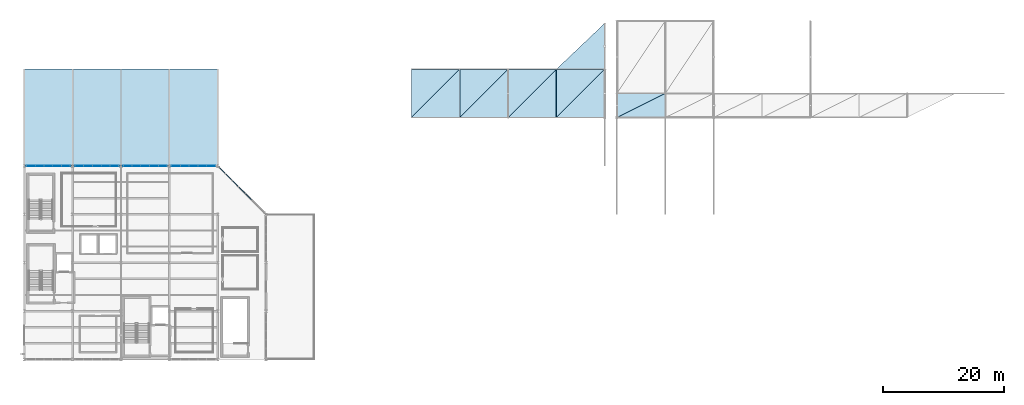
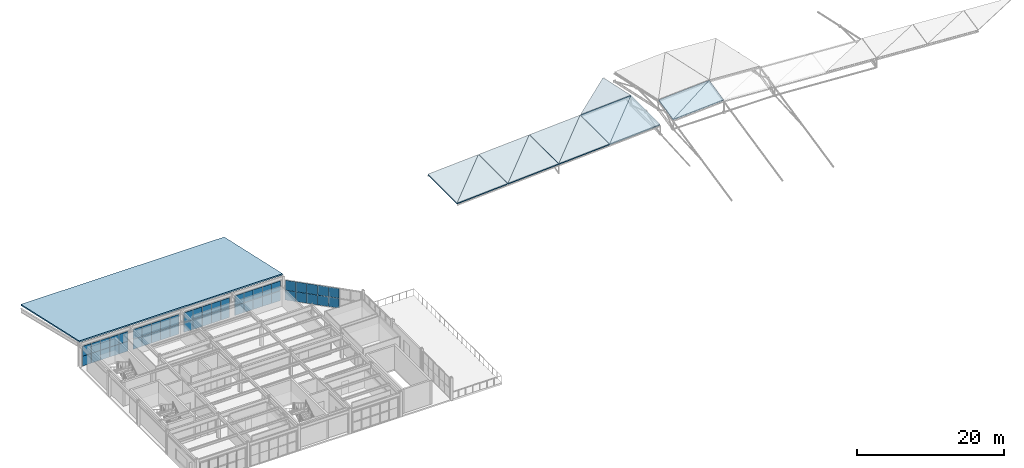
# One storey, part 16 of 27: 50 plates, 12 slabs, 5 elements without a shape of their own.
"""IFC4 building model written with IfcOpenShell, lengths in metres."""

from ifc_helpers import new_model, si_unit, direction, frame, origin, origin_2d, place, context, subcontext, project, spatial, polyline, rectangle, outline, extrude, material, layer, layer_set, type_object, element, aggregate, save


model = new_model("IFC4")

# Units and contexts
model_context = context("Model", 3, precision=1e-05, world=origin(), true_north=direction((0.0, 1.0)))
body_context = subcontext(model_context, "Body", "Model", "MODEL_VIEW")
ifc_project = project(units=[si_unit("LENGTHUNIT", "METRE"), si_unit("AREAUNIT", "SQUARE_METRE"), si_unit("VOLUMEUNIT", "CUBIC_METRE"), si_unit("PLANEANGLEUNIT", "RADIAN"), si_unit("MASSUNIT", "GRAM", prefix="KILO")], contexts=[model_context])

# Site, building, storey
site_placement = place(None, origin())
site = spatial("IfcSite", under=ifc_project, at=site_placement, CompositionType="ELEMENT")
building_placement = place(site_placement, origin())
building = spatial("IfcBuilding", under=site, at=building_placement, Name="Drelvath Fold Interchange", CompositionType="ELEMENT")
storey_placement = place(building_placement, frame((0.0, 0.0, 19.800048828125)))
storey = spatial("IfcBuildingStorey", under=building, at=storey_placement, Name="L04", CompositionType="ELEMENT", Elevation=19.800048828125)

# Curtain wall, plates
ifc_material_1 = material(Name="Anodized Aluminium 6063-T6", Category="aluminium")
curtain_wall_type_1 = type_object("IfcCurtainWallType", Name="CW-OPS-CHM", PredefinedType="USERDEFINED", material=ifc_material_1)
curtain_wall_1_placement = place(storey_placement, origin())
curtain_wall_1 = element("IfcCurtainWall", 1, at=curtain_wall_1_placement, inside=storey, type_object=curtain_wall_type_1, Name="Curtain wall CW-V5-L04-CHM", ObjectType="UNITISED CURTAIN WALL", PredefinedType="USERDEFINED")
ifc_material_2 = material(Name="Low-Iron Insulated Laminated Glass", Category="glass")
ifc_layer_1 = layer(ifc_material_2, 0.068115234375, Name="Low-Iron Insulated Laminated Glass")
ifc_layer_set_1 = layer_set([ifc_layer_1], Name="Low-Iron Insulated Laminated Glass")
plate_type_1 = type_object("IfcPlateType", Name="CP-OPS-A", PredefinedType="CURTAIN_PANEL", material=ifc_layer_set_1)
plate_1_placement = place(storey_placement, frame((41.0859375, 29.9140625, 0.04052734375), z_axis=(0.0, 0.0, 1.0), x_axis=(-0.707106781187, 0.707106781187, 0.0)))
plate_1 = element("IfcPlate", 2, at=plate_1_placement, type_object=plate_type_1, Name="CW-V5-L04-CHM glazed panel 2-0", PredefinedType="CURTAIN_PANEL", context=body_context, shape_type="SweptSolid", body=[
    extrude(rectangle(XDim=1.514892578125, YDim=0.068115234375, at=origin_2d()), origin(), (0.0, 0.0, 1.0), 1.625),
])
plate_2_placement = place(storey_placement, frame((41.0859375, 29.9140625, 1.6845703125), z_axis=(0.0, 0.0, 1.0), x_axis=(-0.707106781187, 0.707106781187, 0.0)))
plate_2 = element("IfcPlate", 3, at=plate_2_placement, type_object=plate_type_1, Name="CW-V5-L04-CHM glazed panel 2-1", PredefinedType="CURTAIN_PANEL", context=body_context, shape_type="SweptSolid", body=[
    extrude(rectangle(XDim=1.514892578125, YDim=0.068115234375, at=origin_2d()), origin(), (0.0, 0.0, 1.0), 1.625),
])
plate_3_placement = place(storey_placement, frame((40.0, 31.0, 0.04052734375), z_axis=(0.0, 0.0, 1.0), x_axis=(-0.707106781187, 0.707106781187, 0.0)))
plate_3 = element("IfcPlate", 4, at=plate_3_placement, type_object=plate_type_1, Name="CW-V5-L04-CHM glazed panel 3-0", PredefinedType="CURTAIN_PANEL", context=body_context, shape_type="SweptSolid", body=[
    extrude(rectangle(XDim=1.514892578125, YDim=0.068115234375, at=origin_2d()), origin(), (0.0, 0.0, 1.0), 1.625),
])
plate_4_placement = place(storey_placement, frame((40.0, 31.0, 1.6845703125), z_axis=(0.0, 0.0, 1.0), x_axis=(-0.707106781187, 0.707106781187, 0.0)))
plate_4 = element("IfcPlate", 5, at=plate_4_placement, type_object=plate_type_1, Name="CW-V5-L04-CHM glazed panel 3-1", PredefinedType="CURTAIN_PANEL", context=body_context, shape_type="SweptSolid", body=[
    extrude(rectangle(XDim=1.514892578125, YDim=0.068115234375, at=origin_2d()), origin(), (0.0, 0.0, 1.0), 1.625),
])
plate_5_placement = place(storey_placement, frame((38.9140625, 32.0859375, 0.04052734375), z_axis=(0.0, 0.0, 1.0), x_axis=(-0.707106781187, 0.707106781187, 0.0)))
plate_5 = element("IfcPlate", 6, at=plate_5_placement, type_object=plate_type_1, Name="CW-V5-L04-CHM glazed panel 4-0", PredefinedType="CURTAIN_PANEL", context=body_context, shape_type="SweptSolid", body=[
    extrude(rectangle(XDim=1.514892578125, YDim=0.068115234375, at=origin_2d()), origin(), (0.0, 0.0, 1.0), 1.625),
])
plate_6_placement = place(storey_placement, frame((38.9140625, 32.0859375, 1.6845703125), z_axis=(0.0, 0.0, 1.0), x_axis=(-0.707106781187, 0.707106781187, 0.0)))
plate_6 = element("IfcPlate", 7, at=plate_6_placement, type_object=plate_type_1, Name="CW-V5-L04-CHM glazed panel 4-1", PredefinedType="CURTAIN_PANEL", context=body_context, shape_type="SweptSolid", body=[
    extrude(rectangle(XDim=1.514892578125, YDim=0.068115234375, at=origin_2d()), origin(), (0.0, 0.0, 1.0), 1.625),
])
plate_7_placement = place(storey_placement, frame((37.8291015625, 33.1708984375, 0.04052734375), z_axis=(0.0, 0.0, 1.0), x_axis=(-0.707106781187, 0.707106781187, 0.0)))
plate_7 = element("IfcPlate", 8, at=plate_7_placement, type_object=plate_type_1, Name="CW-V5-L04-CHM glazed panel 5-0", PredefinedType="CURTAIN_PANEL", context=body_context, shape_type="SweptSolid", body=[
    extrude(rectangle(XDim=1.514892578125, YDim=0.068115234375, at=origin_2d()), origin(), (0.0, 0.0, 1.0), 1.625),
])
plate_8_placement = place(storey_placement, frame((37.8291015625, 33.1708984375, 1.6845703125), z_axis=(0.0, 0.0, 1.0), x_axis=(-0.707106781187, 0.707106781187, 0.0)))
plate_8 = element("IfcPlate", 9, at=plate_8_placement, type_object=plate_type_1, Name="CW-V5-L04-CHM glazed panel 5-1", PredefinedType="CURTAIN_PANEL", context=body_context, shape_type="SweptSolid", body=[
    extrude(rectangle(XDim=1.514892578125, YDim=0.068115234375, at=origin_2d()), origin(), (0.0, 0.0, 1.0), 1.625),
])
plate_9_placement = place(storey_placement, frame((36.757080078125, 34.242919921875, 0.04052734375), z_axis=(0.0, 0.0, 1.0), x_axis=(-0.707106781187, 0.707106781187, 0.0)))
plate_9 = element("IfcPlate", 10, at=plate_9_placement, type_object=plate_type_1, Name="CW-V5-L04-CHM glazed panel 6-0", PredefinedType="CURTAIN_PANEL", context=body_context, shape_type="SweptSolid", body=[
    extrude(rectangle(XDim=1.47509765625, YDim=0.068115234375, at=origin_2d()), origin(), (0.0, 0.0, 1.0), 1.625),
])
plate_10_placement = place(storey_placement, frame((36.757080078125, 34.242919921875, 1.6845703125), z_axis=(0.0, 0.0, 1.0), x_axis=(-0.707106781187, 0.707106781187, 0.0)))
plate_10 = element("IfcPlate", 11, at=plate_10_placement, type_object=plate_type_1, Name="CW-V5-L04-CHM glazed panel 6-1", PredefinedType="CURTAIN_PANEL", context=body_context, shape_type="SweptSolid", body=[
    extrude(rectangle(XDim=1.47509765625, YDim=0.068115234375, at=origin_2d()), origin(), (0.0, 0.0, 1.0), 1.625),
])
aggregate(curtain_wall_1, [plate_1, plate_2, plate_3, plate_4, plate_5, plate_6, plate_7, plate_8, plate_9, plate_10])

curtain_wall_type_2 = type_object("IfcCurtainWallType", Name="CW-OPS-UPP", PredefinedType="USERDEFINED", material=ifc_material_1)
curtain_wall_2_placement = place(storey_placement, origin())
curtain_wall_2 = element("IfcCurtainWall", 12, at=curtain_wall_2_placement, inside=storey, type_object=curtain_wall_type_2, Name="Curtain wall CW-V5-L04-N4", ObjectType="UNITISED CURTAIN WALL", PredefinedType="USERDEFINED")
ifc_layer_2 = layer(ifc_material_2, 0.114990234375, Name="Low-Iron Insulated Laminated Glass")
ifc_layer_set_2 = layer_set([ifc_layer_2], Name="Low-Iron Insulated Laminated Glass")
plate_type_2 = type_object("IfcPlateType", Name="CP-OPS-S", PredefinedType="CURTAIN_PANEL", material=ifc_layer_set_2)
plate_11_placement = place(storey_placement, frame((5.10791015625, 35.0, 0.04052734375), z_axis=(0.0, 0.0, 1.0), x_axis=(1.0, 0.0, 0.0)))
plate_11 = element("IfcPlate", 13, at=plate_11_placement, type_object=plate_type_2, Name="CW-V5-L04-N4 glazed panel 0-0", PredefinedType="CURTAIN_PANEL", context=body_context, shape_type="SweptSolid", body=[
    extrude(rectangle(XDim=1.39599609375, YDim=0.114990234375, at=origin_2d()), origin(), (0.0, 0.0, 1.0), 1.625),
])
plate_12_placement = place(storey_placement, frame((5.10791015625, 35.0, 1.6845703125), z_axis=(0.0, 0.0, 1.0), x_axis=(1.0, 0.0, 0.0)))
plate_12 = element("IfcPlate", 14, at=plate_12_placement, type_object=plate_type_2, Name="CW-V5-L04-N4 glazed panel 0-1", PredefinedType="CURTAIN_PANEL", context=body_context, shape_type="SweptSolid", body=[
    extrude(rectangle(XDim=1.39599609375, YDim=0.114990234375, at=origin_2d()), origin(), (0.0, 0.0, 1.0), 1.625),
])
plate_13_placement = place(storey_placement, frame((6.5439453125, 35.0, 0.04052734375), z_axis=(0.0, 0.0, 1.0), x_axis=(1.0, 0.0, 0.0)))
plate_13 = element("IfcPlate", 15, at=plate_13_placement, type_object=plate_type_2, Name="CW-V5-L04-N4 glazed panel 1-0", PredefinedType="CURTAIN_PANEL", context=body_context, shape_type="SweptSolid", body=[
    extrude(rectangle(XDim=1.43603515625, YDim=0.114990234375, at=origin_2d()), origin(), (0.0, 0.0, 1.0), 1.625),
])
plate_14_placement = place(storey_placement, frame((6.5439453125, 35.0, 1.6845703125), z_axis=(0.0, 0.0, 1.0), x_axis=(1.0, 0.0, 0.0)))
plate_14 = element("IfcPlate", 16, at=plate_14_placement, type_object=plate_type_2, Name="CW-V5-L04-N4 glazed panel 1-1", PredefinedType="CURTAIN_PANEL", context=body_context, shape_type="SweptSolid", body=[
    extrude(rectangle(XDim=1.43603515625, YDim=0.114990234375, at=origin_2d()), origin(), (0.0, 0.0, 1.0), 1.625),
])
plate_15_placement = place(storey_placement, frame((8.0, 35.0, 0.04052734375), z_axis=(0.0, 0.0, 1.0), x_axis=(1.0, 0.0, 0.0)))
plate_15 = element("IfcPlate", 17, at=plate_15_placement, type_object=plate_type_2, Name="CW-V5-L04-N4 glazed panel 2-0", PredefinedType="CURTAIN_PANEL", context=body_context, shape_type="SweptSolid", body=[
    extrude(rectangle(XDim=1.43603515625, YDim=0.114990234375, at=origin_2d()), origin(), (0.0, 0.0, 1.0), 1.625),
])
plate_16_placement = place(storey_placement, frame((8.0, 35.0, 1.6845703125), z_axis=(0.0, 0.0, 1.0), x_axis=(1.0, 0.0, 0.0)))
plate_16 = element("IfcPlate", 18, at=plate_16_placement, type_object=plate_type_2, Name="CW-V5-L04-N4 glazed panel 2-1", PredefinedType="CURTAIN_PANEL", context=body_context, shape_type="SweptSolid", body=[
    extrude(rectangle(XDim=1.43603515625, YDim=0.114990234375, at=origin_2d()), origin(), (0.0, 0.0, 1.0), 1.625),
])
plate_17_placement = place(storey_placement, frame((9.4560546875, 35.0, 0.04052734375), z_axis=(0.0, 0.0, 1.0), x_axis=(1.0, 0.0, 0.0)))
plate_17 = element("IfcPlate", 19, at=plate_17_placement, type_object=plate_type_2, Name="CW-V5-L04-N4 glazed panel 3-0", PredefinedType="CURTAIN_PANEL", context=body_context, shape_type="SweptSolid", body=[
    extrude(rectangle(XDim=1.43603515625, YDim=0.114990234375, at=origin_2d()), origin(), (0.0, 0.0, 1.0), 1.625),
])
plate_18_placement = place(storey_placement, frame((9.4560546875, 35.0, 1.6845703125), z_axis=(0.0, 0.0, 1.0), x_axis=(1.0, 0.0, 0.0)))
plate_18 = element("IfcPlate", 20, at=plate_18_placement, type_object=plate_type_2, Name="CW-V5-L04-N4 glazed panel 3-1", PredefinedType="CURTAIN_PANEL", context=body_context, shape_type="SweptSolid", body=[
    extrude(rectangle(XDim=1.43603515625, YDim=0.114990234375, at=origin_2d()), origin(), (0.0, 0.0, 1.0), 1.625),
])
plate_19_placement = place(storey_placement, frame((10.89208984375, 35.0, 0.04052734375), z_axis=(0.0, 0.0, 1.0), x_axis=(1.0, 0.0, 0.0)))
plate_19 = element("IfcPlate", 21, at=plate_19_placement, type_object=plate_type_2, Name="CW-V5-L04-N4 glazed panel 4-0", PredefinedType="CURTAIN_PANEL", context=body_context, shape_type="SweptSolid", body=[
    extrude(rectangle(XDim=1.39599609375, YDim=0.114990234375, at=origin_2d()), origin(), (0.0, 0.0, 1.0), 1.625),
])
plate_20_placement = place(storey_placement, frame((10.89208984375, 35.0, 1.6845703125), z_axis=(0.0, 0.0, 1.0), x_axis=(1.0, 0.0, 0.0)))
plate_20 = element("IfcPlate", 22, at=plate_20_placement, type_object=plate_type_2, Name="CW-V5-L04-N4 glazed panel 4-1", PredefinedType="CURTAIN_PANEL", context=body_context, shape_type="SweptSolid", body=[
    extrude(rectangle(XDim=1.39599609375, YDim=0.114990234375, at=origin_2d()), origin(), (0.0, 0.0, 1.0), 1.625),
])
aggregate(curtain_wall_2, [plate_11, plate_12, plate_13, plate_14, plate_15, plate_16, plate_17, plate_18, plate_19, plate_20])

curtain_wall_3_placement = place(storey_placement, origin())
curtain_wall_3 = element("IfcCurtainWall", 23, at=curtain_wall_3_placement, inside=storey, type_object=curtain_wall_type_2, Name="Curtain wall CW-V5-L04-N12", ObjectType="UNITISED CURTAIN WALL", PredefinedType="USERDEFINED")
plate_21_placement = place(storey_placement, frame((13.10791015625, 35.0, 0.04052734375), z_axis=(0.0, 0.0, 1.0), x_axis=(1.0, 0.0, 0.0)))
plate_21 = element("IfcPlate", 24, at=plate_21_placement, type_object=plate_type_2, Name="CW-V5-L04-N12 glazed panel 0-0", PredefinedType="CURTAIN_PANEL", context=body_context, shape_type="SweptSolid", body=[
    extrude(rectangle(XDim=1.39599609375, YDim=0.114990234375, at=origin_2d()), origin(), (0.0, 0.0, 1.0), 1.625),
])
plate_22_placement = place(storey_placement, frame((13.10791015625, 35.0, 1.6845703125), z_axis=(0.0, 0.0, 1.0), x_axis=(1.0, 0.0, 0.0)))
plate_22 = element("IfcPlate", 25, at=plate_22_placement, type_object=plate_type_2, Name="CW-V5-L04-N12 glazed panel 0-1", PredefinedType="CURTAIN_PANEL", context=body_context, shape_type="SweptSolid", body=[
    extrude(rectangle(XDim=1.39599609375, YDim=0.114990234375, at=origin_2d()), origin(), (0.0, 0.0, 1.0), 1.625),
])
plate_23_placement = place(storey_placement, frame((14.5439453125, 35.0, 0.04052734375), z_axis=(0.0, 0.0, 1.0), x_axis=(1.0, 0.0, 0.0)))
plate_23 = element("IfcPlate", 26, at=plate_23_placement, type_object=plate_type_2, Name="CW-V5-L04-N12 glazed panel 1-0", PredefinedType="CURTAIN_PANEL", context=body_context, shape_type="SweptSolid", body=[
    extrude(rectangle(XDim=1.43603515625, YDim=0.114990234375, at=origin_2d()), origin(), (0.0, 0.0, 1.0), 1.625),
])
plate_24_placement = place(storey_placement, frame((14.5439453125, 35.0, 1.6845703125), z_axis=(0.0, 0.0, 1.0), x_axis=(1.0, 0.0, 0.0)))
plate_24 = element("IfcPlate", 27, at=plate_24_placement, type_object=plate_type_2, Name="CW-V5-L04-N12 glazed panel 1-1", PredefinedType="CURTAIN_PANEL", context=body_context, shape_type="SweptSolid", body=[
    extrude(rectangle(XDim=1.43603515625, YDim=0.114990234375, at=origin_2d()), origin(), (0.0, 0.0, 1.0), 1.625),
])
plate_25_placement = place(storey_placement, frame((16.0, 35.0, 0.04052734375), z_axis=(0.0, 0.0, 1.0), x_axis=(1.0, 0.0, 0.0)))
plate_25 = element("IfcPlate", 28, at=plate_25_placement, type_object=plate_type_2, Name="CW-V5-L04-N12 glazed panel 2-0", PredefinedType="CURTAIN_PANEL", context=body_context, shape_type="SweptSolid", body=[
    extrude(rectangle(XDim=1.43603515625, YDim=0.114990234375, at=origin_2d()), origin(), (0.0, 0.0, 1.0), 1.625),
])
plate_26_placement = place(storey_placement, frame((16.0, 35.0, 1.6845703125), z_axis=(0.0, 0.0, 1.0), x_axis=(1.0, 0.0, 0.0)))
plate_26 = element("IfcPlate", 29, at=plate_26_placement, type_object=plate_type_2, Name="CW-V5-L04-N12 glazed panel 2-1", PredefinedType="CURTAIN_PANEL", context=body_context, shape_type="SweptSolid", body=[
    extrude(rectangle(XDim=1.43603515625, YDim=0.114990234375, at=origin_2d()), origin(), (0.0, 0.0, 1.0), 1.625),
])
plate_27_placement = place(storey_placement, frame((17.4560546875, 35.0, 0.04052734375), z_axis=(0.0, 0.0, 1.0), x_axis=(1.0, 0.0, 0.0)))
plate_27 = element("IfcPlate", 30, at=plate_27_placement, type_object=plate_type_2, Name="CW-V5-L04-N12 glazed panel 3-0", PredefinedType="CURTAIN_PANEL", context=body_context, shape_type="SweptSolid", body=[
    extrude(rectangle(XDim=1.43603515625, YDim=0.114990234375, at=origin_2d()), origin(), (0.0, 0.0, 1.0), 1.625),
])
plate_28_placement = place(storey_placement, frame((17.4560546875, 35.0, 1.6845703125), z_axis=(0.0, 0.0, 1.0), x_axis=(1.0, 0.0, 0.0)))
plate_28 = element("IfcPlate", 31, at=plate_28_placement, type_object=plate_type_2, Name="CW-V5-L04-N12 glazed panel 3-1", PredefinedType="CURTAIN_PANEL", context=body_context, shape_type="SweptSolid", body=[
    extrude(rectangle(XDim=1.43603515625, YDim=0.114990234375, at=origin_2d()), origin(), (0.0, 0.0, 1.0), 1.625),
])
plate_29_placement = place(storey_placement, frame((18.89208984375, 35.0, 0.04052734375), z_axis=(0.0, 0.0, 1.0), x_axis=(1.0, 0.0, 0.0)))
plate_29 = element("IfcPlate", 32, at=plate_29_placement, type_object=plate_type_2, Name="CW-V5-L04-N12 glazed panel 4-0", PredefinedType="CURTAIN_PANEL", context=body_context, shape_type="SweptSolid", body=[
    extrude(rectangle(XDim=1.39599609375, YDim=0.114990234375, at=origin_2d()), origin(), (0.0, 0.0, 1.0), 1.625),
])
plate_30_placement = place(storey_placement, frame((18.89208984375, 35.0, 1.6845703125), z_axis=(0.0, 0.0, 1.0), x_axis=(1.0, 0.0, 0.0)))
plate_30 = element("IfcPlate", 33, at=plate_30_placement, type_object=plate_type_2, Name="CW-V5-L04-N12 glazed panel 4-1", PredefinedType="CURTAIN_PANEL", context=body_context, shape_type="SweptSolid", body=[
    extrude(rectangle(XDim=1.39599609375, YDim=0.114990234375, at=origin_2d()), origin(), (0.0, 0.0, 1.0), 1.625),
])
aggregate(curtain_wall_3, [plate_21, plate_22, plate_23, plate_24, plate_25, plate_26, plate_27, plate_28, plate_29, plate_30])

curtain_wall_4_placement = place(storey_placement, origin())
curtain_wall_4 = element("IfcCurtainWall", 34, at=curtain_wall_4_placement, inside=storey, type_object=curtain_wall_type_2, Name="Curtain wall CW-V5-L04-N20", ObjectType="UNITISED CURTAIN WALL", PredefinedType="USERDEFINED")
plate_31_placement = place(storey_placement, frame((21.10791015625, 35.0, 0.04052734375), z_axis=(0.0, 0.0, 1.0), x_axis=(1.0, 0.0, 0.0)))
plate_31 = element("IfcPlate", 35, at=plate_31_placement, type_object=plate_type_2, Name="CW-V5-L04-N20 glazed panel 0-0", PredefinedType="CURTAIN_PANEL", context=body_context, shape_type="SweptSolid", body=[
    extrude(rectangle(XDim=1.39599609375, YDim=0.114990234375, at=origin_2d()), origin(), (0.0, 0.0, 1.0), 1.625),
])
plate_32_placement = place(storey_placement, frame((21.10791015625, 35.0, 1.6845703125), z_axis=(0.0, 0.0, 1.0), x_axis=(1.0, 0.0, 0.0)))
plate_32 = element("IfcPlate", 36, at=plate_32_placement, type_object=plate_type_2, Name="CW-V5-L04-N20 glazed panel 0-1", PredefinedType="CURTAIN_PANEL", context=body_context, shape_type="SweptSolid", body=[
    extrude(rectangle(XDim=1.39599609375, YDim=0.114990234375, at=origin_2d()), origin(), (0.0, 0.0, 1.0), 1.625),
])
plate_33_placement = place(storey_placement, frame((22.5439453125, 35.0, 0.04052734375), z_axis=(0.0, 0.0, 1.0), x_axis=(1.0, 0.0, 0.0)))
plate_33 = element("IfcPlate", 37, at=plate_33_placement, type_object=plate_type_2, Name="CW-V5-L04-N20 glazed panel 1-0", PredefinedType="CURTAIN_PANEL", context=body_context, shape_type="SweptSolid", body=[
    extrude(rectangle(XDim=1.43603515625, YDim=0.114990234375, at=origin_2d()), origin(), (0.0, 0.0, 1.0), 1.625),
])
plate_34_placement = place(storey_placement, frame((22.5439453125, 35.0, 1.6845703125), z_axis=(0.0, 0.0, 1.0), x_axis=(1.0, 0.0, 0.0)))
plate_34 = element("IfcPlate", 38, at=plate_34_placement, type_object=plate_type_2, Name="CW-V5-L04-N20 glazed panel 1-1", PredefinedType="CURTAIN_PANEL", context=body_context, shape_type="SweptSolid", body=[
    extrude(rectangle(XDim=1.43603515625, YDim=0.114990234375, at=origin_2d()), origin(), (0.0, 0.0, 1.0), 1.625),
])
plate_35_placement = place(storey_placement, frame((24.0, 35.0, 0.04052734375), z_axis=(0.0, 0.0, 1.0), x_axis=(1.0, 0.0, 0.0)))
plate_35 = element("IfcPlate", 39, at=plate_35_placement, type_object=plate_type_2, Name="CW-V5-L04-N20 glazed panel 2-0", PredefinedType="CURTAIN_PANEL", context=body_context, shape_type="SweptSolid", body=[
    extrude(rectangle(XDim=1.43603515625, YDim=0.114990234375, at=origin_2d()), origin(), (0.0, 0.0, 1.0), 1.625),
])
plate_36_placement = place(storey_placement, frame((24.0, 35.0, 1.6845703125), z_axis=(0.0, 0.0, 1.0), x_axis=(1.0, 0.0, 0.0)))
plate_36 = element("IfcPlate", 40, at=plate_36_placement, type_object=plate_type_2, Name="CW-V5-L04-N20 glazed panel 2-1", PredefinedType="CURTAIN_PANEL", context=body_context, shape_type="SweptSolid", body=[
    extrude(rectangle(XDim=1.43603515625, YDim=0.114990234375, at=origin_2d()), origin(), (0.0, 0.0, 1.0), 1.625),
])
plate_37_placement = place(storey_placement, frame((25.4560546875, 35.0, 0.04052734375), z_axis=(0.0, 0.0, 1.0), x_axis=(1.0, 0.0, 0.0)))
plate_37 = element("IfcPlate", 41, at=plate_37_placement, type_object=plate_type_2, Name="CW-V5-L04-N20 glazed panel 3-0", PredefinedType="CURTAIN_PANEL", context=body_context, shape_type="SweptSolid", body=[
    extrude(rectangle(XDim=1.43603515625, YDim=0.114990234375, at=origin_2d()), origin(), (0.0, 0.0, 1.0), 1.625),
])
plate_38_placement = place(storey_placement, frame((25.4560546875, 35.0, 1.6845703125), z_axis=(0.0, 0.0, 1.0), x_axis=(1.0, 0.0, 0.0)))
plate_38 = element("IfcPlate", 42, at=plate_38_placement, type_object=plate_type_2, Name="CW-V5-L04-N20 glazed panel 3-1", PredefinedType="CURTAIN_PANEL", context=body_context, shape_type="SweptSolid", body=[
    extrude(rectangle(XDim=1.43603515625, YDim=0.114990234375, at=origin_2d()), origin(), (0.0, 0.0, 1.0), 1.625),
])
plate_39_placement = place(storey_placement, frame((26.89208984375, 35.0, 0.04052734375), z_axis=(0.0, 0.0, 1.0), x_axis=(1.0, 0.0, 0.0)))
plate_39 = element("IfcPlate", 43, at=plate_39_placement, type_object=plate_type_2, Name="CW-V5-L04-N20 glazed panel 4-0", PredefinedType="CURTAIN_PANEL", context=body_context, shape_type="SweptSolid", body=[
    extrude(rectangle(XDim=1.39599609375, YDim=0.114990234375, at=origin_2d()), origin(), (0.0, 0.0, 1.0), 1.625),
])
plate_40_placement = place(storey_placement, frame((26.89208984375, 35.0, 1.6845703125), z_axis=(0.0, 0.0, 1.0), x_axis=(1.0, 0.0, 0.0)))
plate_40 = element("IfcPlate", 44, at=plate_40_placement, type_object=plate_type_2, Name="CW-V5-L04-N20 glazed panel 4-1", PredefinedType="CURTAIN_PANEL", context=body_context, shape_type="SweptSolid", body=[
    extrude(rectangle(XDim=1.39599609375, YDim=0.114990234375, at=origin_2d()), origin(), (0.0, 0.0, 1.0), 1.625),
])
aggregate(curtain_wall_4, [plate_31, plate_32, plate_33, plate_34, plate_35, plate_36, plate_37, plate_38, plate_39, plate_40])

curtain_wall_5_placement = place(storey_placement, origin())
curtain_wall_5 = element("IfcCurtainWall", 45, at=curtain_wall_5_placement, inside=storey, type_object=curtain_wall_type_2, Name="Curtain wall CW-V5-L04-N28", ObjectType="UNITISED CURTAIN WALL", PredefinedType="USERDEFINED")
plate_41_placement = place(storey_placement, frame((29.10791015625, 35.0, 0.04052734375), z_axis=(0.0, 0.0, 1.0), x_axis=(1.0, 0.0, 0.0)))
plate_41 = element("IfcPlate", 46, at=plate_41_placement, type_object=plate_type_2, Name="CW-V5-L04-N28 glazed panel 0-0", PredefinedType="CURTAIN_PANEL", context=body_context, shape_type="SweptSolid", body=[
    extrude(rectangle(XDim=1.39599609375, YDim=0.114990234375, at=origin_2d()), origin(), (0.0, 0.0, 1.0), 1.625),
])
plate_42_placement = place(storey_placement, frame((29.10791015625, 35.0, 1.6845703125), z_axis=(0.0, 0.0, 1.0), x_axis=(1.0, 0.0, 0.0)))
plate_42 = element("IfcPlate", 47, at=plate_42_placement, type_object=plate_type_2, Name="CW-V5-L04-N28 glazed panel 0-1", PredefinedType="CURTAIN_PANEL", context=body_context, shape_type="SweptSolid", body=[
    extrude(rectangle(XDim=1.39599609375, YDim=0.114990234375, at=origin_2d()), origin(), (0.0, 0.0, 1.0), 1.625),
])
plate_43_placement = place(storey_placement, frame((30.5439453125, 35.0, 0.04052734375), z_axis=(0.0, 0.0, 1.0), x_axis=(1.0, 0.0, 0.0)))
plate_43 = element("IfcPlate", 48, at=plate_43_placement, type_object=plate_type_2, Name="CW-V5-L04-N28 glazed panel 1-0", PredefinedType="CURTAIN_PANEL", context=body_context, shape_type="SweptSolid", body=[
    extrude(rectangle(XDim=1.43603515625, YDim=0.114990234375, at=origin_2d()), origin(), (0.0, 0.0, 1.0), 1.625),
])
plate_44_placement = place(storey_placement, frame((30.5439453125, 35.0, 1.6845703125), z_axis=(0.0, 0.0, 1.0), x_axis=(1.0, 0.0, 0.0)))
plate_44 = element("IfcPlate", 49, at=plate_44_placement, type_object=plate_type_2, Name="CW-V5-L04-N28 glazed panel 1-1", PredefinedType="CURTAIN_PANEL", context=body_context, shape_type="SweptSolid", body=[
    extrude(rectangle(XDim=1.43603515625, YDim=0.114990234375, at=origin_2d()), origin(), (0.0, 0.0, 1.0), 1.625),
])
plate_45_placement = place(storey_placement, frame((32.0, 35.0, 0.04052734375), z_axis=(0.0, 0.0, 1.0), x_axis=(1.0, 0.0, 0.0)))
plate_45 = element("IfcPlate", 50, at=plate_45_placement, type_object=plate_type_2, Name="CW-V5-L04-N28 glazed panel 2-0", PredefinedType="CURTAIN_PANEL", context=body_context, shape_type="SweptSolid", body=[
    extrude(rectangle(XDim=1.43603515625, YDim=0.114990234375, at=origin_2d()), origin(), (0.0, 0.0, 1.0), 1.625),
])
plate_46_placement = place(storey_placement, frame((32.0, 35.0, 1.6845703125), z_axis=(0.0, 0.0, 1.0), x_axis=(1.0, 0.0, 0.0)))
plate_46 = element("IfcPlate", 51, at=plate_46_placement, type_object=plate_type_2, Name="CW-V5-L04-N28 glazed panel 2-1", PredefinedType="CURTAIN_PANEL", context=body_context, shape_type="SweptSolid", body=[
    extrude(rectangle(XDim=1.43603515625, YDim=0.114990234375, at=origin_2d()), origin(), (0.0, 0.0, 1.0), 1.625),
])
plate_47_placement = place(storey_placement, frame((33.4560546875, 35.0, 0.04052734375), z_axis=(0.0, 0.0, 1.0), x_axis=(1.0, 0.0, 0.0)))
plate_47 = element("IfcPlate", 52, at=plate_47_placement, type_object=plate_type_2, Name="CW-V5-L04-N28 glazed panel 3-0", PredefinedType="CURTAIN_PANEL", context=body_context, shape_type="SweptSolid", body=[
    extrude(rectangle(XDim=1.43603515625, YDim=0.114990234375, at=origin_2d()), origin(), (0.0, 0.0, 1.0), 1.625),
])
plate_48_placement = place(storey_placement, frame((33.4560546875, 35.0, 1.6845703125), z_axis=(0.0, 0.0, 1.0), x_axis=(1.0, 0.0, 0.0)))
plate_48 = element("IfcPlate", 53, at=plate_48_placement, type_object=plate_type_2, Name="CW-V5-L04-N28 glazed panel 3-1", PredefinedType="CURTAIN_PANEL", context=body_context, shape_type="SweptSolid", body=[
    extrude(rectangle(XDim=1.43603515625, YDim=0.114990234375, at=origin_2d()), origin(), (0.0, 0.0, 1.0), 1.625),
])
plate_49_placement = place(storey_placement, frame((34.89208984375, 35.0, 0.04052734375), z_axis=(0.0, 0.0, 1.0), x_axis=(1.0, 0.0, 0.0)))
plate_49 = element("IfcPlate", 54, at=plate_49_placement, type_object=plate_type_2, Name="CW-V5-L04-N28 glazed panel 4-0", PredefinedType="CURTAIN_PANEL", context=body_context, shape_type="SweptSolid", body=[
    extrude(rectangle(XDim=1.39599609375, YDim=0.114990234375, at=origin_2d()), origin(), (0.0, 0.0, 1.0), 1.625),
])
plate_50_placement = place(storey_placement, frame((34.89208984375, 35.0, 1.6845703125), z_axis=(0.0, 0.0, 1.0), x_axis=(1.0, 0.0, 0.0)))
plate_50 = element("IfcPlate", 55, at=plate_50_placement, type_object=plate_type_2, Name="CW-V5-L04-N28 glazed panel 4-1", PredefinedType="CURTAIN_PANEL", context=body_context, shape_type="SweptSolid", body=[
    extrude(rectangle(XDim=1.39599609375, YDim=0.114990234375, at=origin_2d()), origin(), (0.0, 0.0, 1.0), 1.625),
])
aggregate(curtain_wall_5, [plate_41, plate_42, plate_43, plate_44, plate_45, plate_46, plate_47, plate_48, plate_49, plate_50])

# Slabs
ifc_material_3 = material(Name="Concrete f'c 35 MPa (5000 psi)", Category="concrete")
ifc_layer_3 = layer(ifc_material_3, 0.205078125, Name="Concrete f'c 35 MPa (5000 psi)")
ifc_layer_set_3 = layer_set([ifc_layer_3], Name="Concrete f'c 35 MPa (5000 psi)")
slab_type_1 = type_object("IfcSlabType", Name="RF-CR1", PredefinedType="ROOF", material=ifc_layer_set_3)
slab_1_placement = place(storey_placement, frame((4.0, 35.080078125, 4.280029296875), z_axis=(0.0, 0.21747721398, 0.976065398116), x_axis=(1.0, 0.0, 0.0)))
element("IfcSlab", 56, at=slab_1_placement, inside=storey, type_object=slab_type_1, Name="Operations L04 sloped shoulder roof", PredefinedType="ROOF", context=body_context, shape_type="SweptSolid", body=[
    extrude(outline(polyline([(0.0, 0.0), (32.0, 0.0), (32.0, 16.31030247125699), (0.0, 16.31030247125699), (0.0, 0.0)])), origin(), (0.0, 0.0, -1.0), 0.205078125),
])
ifc_layer_4 = layer(ifc_material_3, 0.169921875, Name="Concrete f'c 35 MPa (5000 psi)")
ifc_layer_set_4 = layer_set([ifc_layer_4], Name="Concrete f'c 35 MPa (5000 psi)")
slab_type_2 = type_object("IfcSlabType", Name="RF-SF1", PredefinedType="ROOF", material=ifc_layer_set_4)
slab_2_placement = place(storey_placement, frame((68.030029296875, 43.030029296875, -0.031982421875), z_axis=(-0.060096582196, 0.0, 0.998192566997), x_axis=(0.998192566997, 0.0, 0.060096582196)))
element("IfcSlab", 57, at=slab_2_placement, inside=storey, type_object=slab_type_2, Name="Space frame canopy sloped roof facet 19", PredefinedType="ROOF", context=body_context, shape_type="SweptSolid", body=[
    extrude(outline(polyline([(0.0, 0.0), (7.954318303667255, 0.0), (7.954318303667255, 7.93994140625), (0.0, 0.0)])), origin(), (0.0, 0.0, -1.0), 0.169921875),
])
slab_3_placement = place(storey_placement, frame((68.030029296875, 43.030029296875, -0.031982421875), z_axis=(-0.060096582196, 0.0, 0.998192566997), x_axis=(0.706466890092, 0.706466890092, 0.042533121296)))
element("IfcSlab", 58, at=slab_3_placement, inside=storey, type_object=slab_type_2, Name="Space frame canopy sloped roof facet 20", PredefinedType="ROOF", context=body_context, shape_type="SweptSolid", body=[
    extrude(outline(polyline([(0.0, 0.0), (11.238943420568463, -3.3306690738754696e-16), (5.609305712786883, 5.6194625147944235), (0.0, 0.0)])), origin(), (0.0, 0.0, -1.0), 0.169921875),
])
slab_4_placement = place(storey_placement, frame((76.030029296875, 43.030029296875, 0.449951171875), z_axis=(-0.059974252881, 0.0, 0.99819992436), x_axis=(0.99819992436, 0.0, 0.059974252881)))
element("IfcSlab", 59, at=slab_4_placement, inside=storey, type_object=slab_type_2, Name="Space frame canopy sloped roof facet 27", PredefinedType="ROOF", context=body_context, shape_type="SweptSolid", body=[
    extrude(outline(polyline([(0.0, 0.0), (7.954259675329594, 0.0), (7.954259675329594, 7.939941406250002), (0.0, 0.0)])), origin(), (0.0, 0.0, -1.0), 0.169921875),
])
slab_5_placement = place(storey_placement, frame((76.030029296875, 43.030029296875, 0.449951171875), z_axis=(-0.059974252881, 0.0, 0.99819992436), x_axis=(0.70646949836, 0.70646949836, 0.042446387055)))
element("IfcSlab", 60, at=slab_5_placement, inside=storey, type_object=slab_type_2, Name="Space frame canopy sloped roof facet 28", PredefinedType="ROOF", context=body_context, shape_type="SweptSolid", body=[
    extrude(outline(polyline([(0.0, 0.0), (11.238901926667824, 3.0184188481996443e-16), (5.609326422281051, 5.619441842655096), (0.0, 0.0)])), origin(), (0.0, 0.0, -1.0), 0.169921875),
])
slab_6_placement = place(storey_placement, frame((84.030029296875, 43.030029296875, 0.930908203125), z_axis=(-0.059974252881, 0.0, 0.99819992436), x_axis=(0.99819992436, 0.0, 0.059974252881)))
element("IfcSlab", 61, at=slab_6_placement, inside=storey, type_object=slab_type_2, Name="Space frame canopy sloped roof facet 35", PredefinedType="ROOF", context=body_context, shape_type="SweptSolid", body=[
    extrude(outline(polyline([(0.0, 0.0), (7.954259675329594, 0.0), (7.954259675329594, 7.939941406250002), (0.0, 0.0)])), origin(), (0.0, 0.0, -1.0), 0.169921875),
])
slab_7_placement = place(storey_placement, frame((84.030029296875, 43.030029296875, 0.930908203125), z_axis=(-0.059974252881, 0.0, 0.99819992436), x_axis=(0.70646949836, 0.70646949836, 0.042446387055)))
element("IfcSlab", 62, at=slab_7_placement, inside=storey, type_object=slab_type_2, Name="Space frame canopy sloped roof facet 36", PredefinedType="ROOF", context=body_context, shape_type="SweptSolid", body=[
    extrude(outline(polyline([(0.0, 0.0), (11.238901926667824, 3.0184188481996443e-16), (5.609326422281051, 5.619441842655096), (0.0, 0.0)])), origin(), (0.0, 0.0, -1.0), 0.169921875),
])
slab_8_placement = place(storey_placement, frame((92.030029296875, 43.030029296875, 1.411865234375), z_axis=(-0.059974252881, 0.0, 0.99819992436), x_axis=(0.99819992436, 0.0, 0.059974252881)))
element("IfcSlab", 63, at=slab_8_placement, inside=storey, type_object=slab_type_2, Name="Space frame canopy sloped roof facet 43", PredefinedType="ROOF", context=body_context, shape_type="SweptSolid", body=[
    extrude(outline(polyline([(0.0, 0.0), (7.954259675329594, 0.0), (7.954259675329594, 7.939941406250002), (0.0, 0.0)])), origin(), (0.0, 0.0, -1.0), 0.169921875),
])
slab_9_placement = place(storey_placement, frame((92.030029296875, 43.030029296875, 1.411865234375), z_axis=(-0.059974252881, 0.0, 0.99819992436), x_axis=(0.70646949836, 0.70646949836, 0.042446387055)))
element("IfcSlab", 64, at=slab_9_placement, inside=storey, type_object=slab_type_2, Name="Space frame canopy sloped roof facet 44", PredefinedType="ROOF", context=body_context, shape_type="SweptSolid", body=[
    extrude(outline(polyline([(0.0, 0.0), (11.238901926667824, 3.0184188481996443e-16), (5.609326422281051, 5.619441842655096), (0.0, 0.0)])), origin(), (0.0, 0.0, -1.0), 0.169921875),
])
slab_10_placement = place(storey_placement, frame((92.030029296875, 51.030029296875, 1.39892578125), z_axis=(-0.058603857189, 0.21254965672, 0.975391322163), x_axis=(0.99819992436, 0.0, 0.059974252881)))
element("IfcSlab", 65, at=slab_10_placement, inside=storey, type_object=slab_type_2, Name="Space frame canopy sloped roof facet 45", PredefinedType="ROOF", context=body_context, shape_type="SweptSolid", body=[
    extrude(outline(polyline([(0.0, 0.0), (7.954259675329594, 1.3877787807814457e-17), (7.855717995180749, 7.716355734195164), (0.0, 0.0)])), origin(), (0.0, 0.0, -1.0), 0.169921875),
])
slab_11_placement = place(storey_placement, frame((102.030029296875, 43.030029296875, 2.012939453125), z_axis=(-0.058722405013, -0.212625092757, 0.975367750687), x_axis=(0.998192566997, 0.0, 0.060096582196)))
element("IfcSlab", 66, at=slab_11_placement, inside=storey, type_object=slab_type_2, Name="Space frame canopy sloped roof facet 51", PredefinedType="ROOF", context=body_context, shape_type="SweptSolid", body=[
    extrude(outline(polyline([(0.0, 0.0), (7.954318303667255, 0.0), (8.005934459957722, 4.032140926696161), (0.0, 0.0)])), origin(), (0.0, 0.0, -1.0), 0.169921875),
])
slab_12_placement = place(storey_placement, frame((102.030029296875, 43.030029296875, 2.012939453125), z_axis=(-0.058691762993, -0.21268317288, 0.975356932067), x_axis=(0.885759567865, 0.439529792332, 0.149142715504)))
element("IfcSlab", 67, at=slab_12_placement, inside=storey, type_object=slab_type_2, Name="Space frame canopy sloped roof facet 52", PredefinedType="ROOF", context=body_context, shape_type="SweptSolid", body=[
    extrude(outline(polyline([(0.0, 0.0), (8.963991690640768, -4.440892098500626e-16), (1.8598547374286605, 3.578014040480811), (0.0, 0.0)])), origin(), (0.0, 0.0, -1.0), 0.169921875),
])

save(model, "model.ifc")
